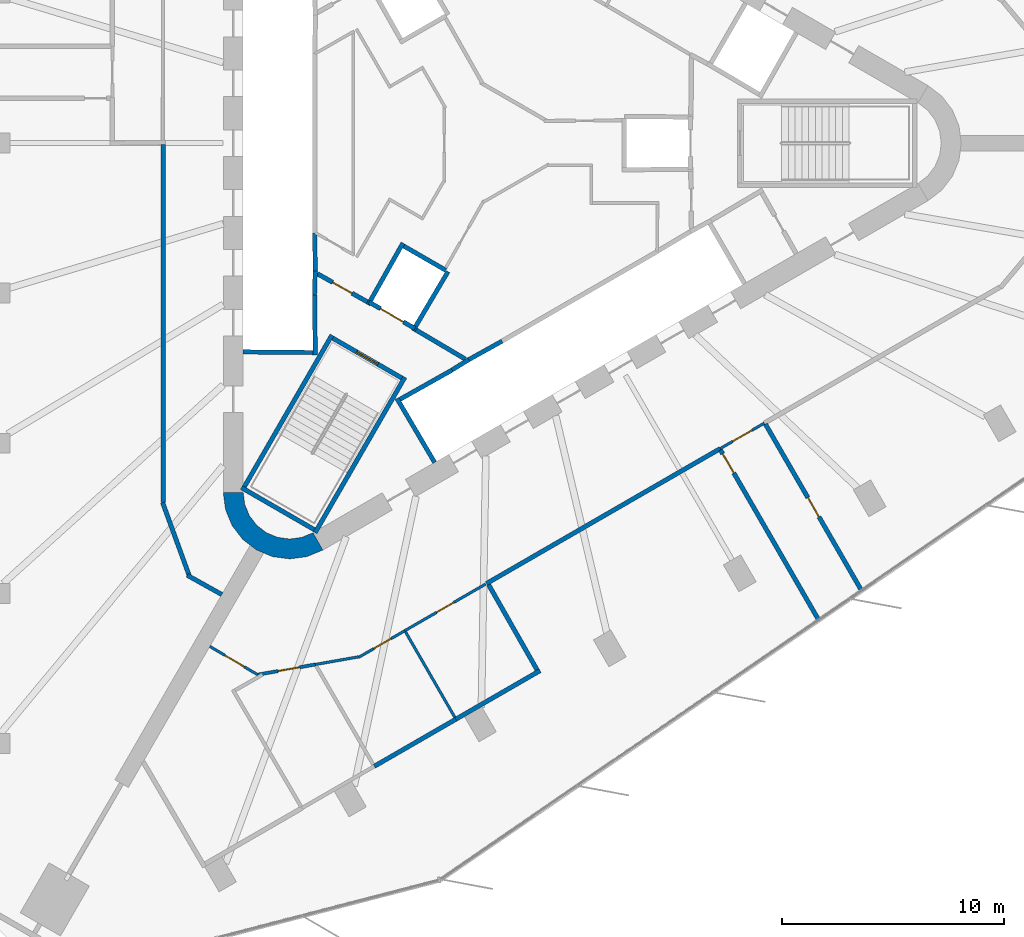
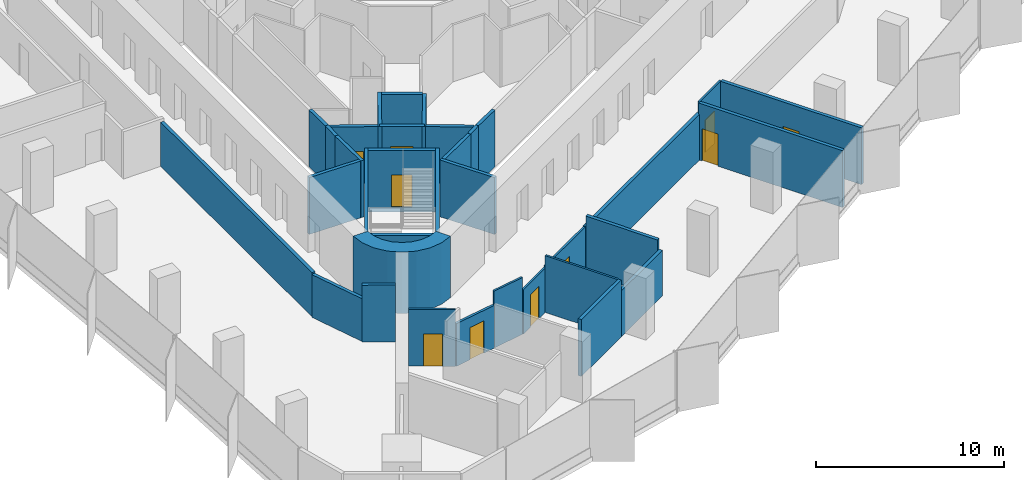
# One storey, part 8 of 13: 35 walls, 10 doors, 10 openings.
"""IFC4 building model written with IfcOpenShell, lengths in metres."""

from ifc_helpers import new_model, si_unit, direction, frame, frame_2d, origin, place, context, subcontext, project, spatial, polyline, rectangle, outline, extrude, material, layer, layer_set, type_object, element, fill, save


model = new_model("IFC4")

# Units and contexts
model_context = context("Model", 3, precision=1e-05, world=origin(), true_north=direction((0.0, 1.0)))
body_context = subcontext(model_context, "Body", "Model", "MODEL_VIEW")
ifc_project = project(units=[si_unit("LENGTHUNIT", "METRE"), si_unit("AREAUNIT", "SQUARE_METRE"), si_unit("VOLUMEUNIT", "CUBIC_METRE"), si_unit("PLANEANGLEUNIT", "RADIAN"), si_unit("MASSUNIT", "GRAM", prefix="KILO")], contexts=[model_context])

# Site, building, storey
site_placement = place(None, origin())
site = spatial("IfcSite", under=ifc_project, at=site_placement, CompositionType="ELEMENT")
building_placement = place(site_placement, origin())
building = spatial("IfcBuilding", under=site, at=building_placement, Name="Tanit Gate Tower", CompositionType="ELEMENT")
storey_placement = place(building_placement, frame((0.0, 0.0, 181.199951171875)))
storey = spatial("IfcBuildingStorey", under=building, at=storey_placement, Name="L39", CompositionType="ELEMENT", Elevation=181.199951171875)

# Walls
ifc_material_1 = material(Name="Concrete C50/60", Category="concrete")
ifc_layer_1 = layer(ifc_material_1, 0.89990234375)
ifc_layer_set_1 = layer_set([ifc_layer_1], Name="CORE WALL 900 C50/60")
wall_type_1 = type_object("IfcWallType", Name="CORE WALL 900 C50/60", PredefinedType="SHEAR", material=ifc_layer_set_1)
wall_1_placement = place(storey_placement, origin())
element("IfcWall", 1, at=wall_1_placement, inside=storey, type_object=wall_type_1, Name="CORE WALL CORNER", PredefinedType="SHEAR", context=body_context, shape_type="SweptSolid", body=[
    extrude(outline(polyline([(-12.10009765625, -15.76171875), (-11.997802734375, -16.5380859375), (-11.697998046875, -17.26171875), (-11.22119140625, -17.883056640625), (-10.60009765625, -18.359619140625), (-9.87646484375, -18.659423828125), (-9.10009765625, -18.76171875), (-8.323486328125, -18.659423828125), (-7.60009765625, -18.359619140625), (-8.050048828125, -17.580322265625), (-8.556396484375, -17.7900390625), (-9.10009765625, -17.86181640625), (-9.6435546875, -17.7900390625), (-10.14990234375, -17.580322265625), (-10.5849609375, -17.24658203125), (-10.918701171875, -16.811767578125), (-11.12841796875, -16.30517578125), (-11.199951171875, -15.76171875), (-12.10009765625, -15.76171875)])), origin(), (0.0, 0.0, 1.0), 4.0),
])
ifc_material_2 = material(Name="Fire-rated gypsum board partition")
ifc_layer_2 = layer(ifc_material_2, 0.199951171875)
ifc_layer_set_2 = layer_set([ifc_layer_2], Name="INT-WALL-COMPARTMENT")
wall_type_2 = type_object("IfcWallType", Name="INT-WALL-COMPARTMENT", PredefinedType="PARTITIONING", material=ifc_layer_set_2)
wall_2_placement = place(storey_placement, frame((-3.400634765625, -8.43017578125, 0.0), z_axis=(0.0, 0.0, 1.0), x_axis=(0.860615607571, -0.509255118781, 0.0)))
element("IfcWall", 2, at=wall_2_placement, inside=storey, type_object=wall_type_2, Name="Wall Compartment W063", PredefinedType="PARTITIONING", context=body_context, shape_type="SweptSolid", body=[
    extrude(rectangle(XDim=2.58056640625, YDim=0.199951171875, at=frame_2d((1.290283203125, 0.0))), origin(), (0.0, 0.0, 1.0), 3.699951171875),
])

# Wall, opening, door
wall_3_placement = place(storey_placement, frame((-7.849365234375, -5.893798828125, 0.0), z_axis=(0.0, 0.0, 1.0), x_axis=(0.871363259478, -0.490638431059, 0.0)))
wall_3 = element("IfcWall", 3, at=wall_3_placement, inside=storey, type_object=wall_type_2, Name="Wall Compartment W064", PredefinedType="PARTITIONING", context=body_context, shape_type="SweptSolid", body=[
    extrude(rectangle(XDim=2.5810546875, YDim=0.199951171875, at=frame_2d((1.29052734375, 0.0))), origin(), (0.0, 0.0, 1.0), 3.699951171875),
])
opening_1_placement = place(wall_3_placement, frame((0.79052734375, 0.0, 0.0)))
opening_1 = element("IfcOpeningElement", 4, at=opening_1_placement, cuts=wall_3, Name="Opening F10-S10-08", PredefinedType="OPENING", context=body_context, shape_type="SweptSolid", body=[
    extrude(rectangle(XDim=1.0, YDim=2.10009765625, at=frame_2d((0.5, 1.050048828125))), frame((0.0, 0.10986328125, 0.0), z_axis=(0.0, -1.0, 0.0), x_axis=(1.0, 0.0, 0.0)), (0.0, 0.0, 1.0), 0.219970703125),
])
ifc_material_3 = material(Name="Fire-rated steel door leaf", Category="steel")
door_type_1 = type_object("IfcDoorType", Name="INT-DOOR-FIRE-1000", OperationType="NOTDEFINED", PredefinedType="USERDEFINED", material=ifc_material_3)
door_1_placement = place(opening_1_placement, origin())
door_1 = element("IfcDoor", 5, at=door_1_placement, inside=storey, type_object=door_type_1, Name="Door F10-S10-08", ObjectType="FIRE DOOR", OperationType="SINGLE_SWING_RIGHT", OverallHeight=2.10009765625, OverallWidth=1.0, PredefinedType="USERDEFINED", context=body_context, shape_type="SweptSolid", body=[
    extrude(rectangle(XDim=1.0, YDim=2.10009765625, at=frame_2d((0.5, 1.050048828125))), frame((0.0, 0.02490234375, 0.0), z_axis=(0.0, -1.0, 0.0), x_axis=(1.0, 0.0, 0.0)), (0.0, 0.0, 1.0), 0.050048828125),
])
fill(opening_1, door_1)

# Walls
wall_4_placement = place(storey_placement, frame((-13.722412109375, -19.499267578125, 0.0), z_axis=(0.0, 0.0, 1.0), x_axis=(0.873381780332, -0.487036205824, 0.0)))
element("IfcWall", 6, at=wall_4_placement, inside=storey, type_object=wall_type_2, Name="Wall Compartment W093", PredefinedType="PARTITIONING", context=body_context, shape_type="SweptSolid", body=[
    extrude(rectangle(XDim=1.78466796875, YDim=0.199951171875, at=frame_2d((0.892333984375, 0.0))), origin(), (0.0, 0.0, 1.0), 3.699951171875),
])
wall_5_placement = place(storey_placement, frame((-14.834228515625, -16.22314453125, 0.0), z_axis=(0.0, 0.0, 1.0), x_axis=(0.342017717312, -0.939693503779, 0.0)))
element("IfcWall", 7, at=wall_5_placement, inside=storey, type_object=wall_type_2, Name="Wall Compartment W094", PredefinedType="PARTITIONING", context=body_context, shape_type="SweptSolid", body=[
    extrude(rectangle(XDim=3.4970703125, YDim=0.199951171875, at=frame_2d((1.74853515625, 0.0))), origin(), (0.0, 0.0, 1.0), 2.780029296875),
])
wall_6_placement = place(storey_placement, frame((-14.800048828125, -0.070068359375, 0.0), z_axis=(0.0, 0.0, 1.0), x_axis=(0.0, -1.0, 0.0)))
element("IfcWall", 8, at=wall_6_placement, inside=storey, type_object=wall_type_2, Name="Wall Compartment W095", PredefinedType="PARTITIONING", context=body_context, shape_type="SweptSolid", body=[
    extrude(rectangle(XDim=16.14697265625, YDim=0.199951171875, at=frame_2d((8.073486328125, 0.0))), origin(), (0.0, 0.0, 1.0), 2.880126953125),
])
wall_7_placement = place(storey_placement, frame((-0.222900390625, -19.8740234375, 0.0), z_axis=(0.0, 0.0, 1.0), x_axis=(0.866025366729, 0.500000064182, 0.0)))
element("IfcWall", 9, at=wall_7_placement, inside=storey, type_object=wall_type_2, Name="Wall Compartment W104", PredefinedType="PARTITIONING", context=body_context, shape_type="SweptSolid", body=[
    extrude(rectangle(XDim=12.18017578125, YDim=0.199951171875, at=frame_2d((6.090087890625, 0.0))), origin(), (0.0, 0.0, 1.0), 2.97998046875),
])

# Wall, opening, door
wall_8_placement = place(storey_placement, frame((10.338134765625, -13.845947265625, 0.0), z_axis=(0.0, 0.0, 1.0), x_axis=(0.499984974409, -0.86603407864, 0.0)))
wall_8 = element("IfcWall", 10, at=wall_8_placement, inside=storey, type_object=wall_type_2, Name="Wall Compartment W123", PredefinedType="PARTITIONING", context=body_context, shape_type="SweptSolid", body=[
    extrude(rectangle(XDim=8.855224609375, YDim=0.199951171875, at=frame_2d((4.427734375, 0.0))), origin(), (0.0, 0.0, 1.0), 3.699951171875),
])
opening_2_placement = place(wall_8_placement, frame((0.199951171875, 0.0, 0.0)))
opening_2 = element("IfcOpeningElement", 11, at=opening_2_placement, cuts=wall_8, Name="Opening F10-S10-29", PredefinedType="OPENING", context=body_context, shape_type="SweptSolid", body=[
    extrude(rectangle(XDim=1.0, YDim=2.10009765625, at=frame_2d((0.5, 1.050048828125))), frame((0.0, 0.10986328125, 0.0), z_axis=(0.0, -1.0, 0.0), x_axis=(1.0, 0.0, 0.0)), (0.0, 0.0, 1.0), 0.219970703125),
])
door_2_placement = place(opening_2_placement, origin())
door_2 = element("IfcDoor", 12, at=door_2_placement, inside=storey, type_object=door_type_1, Name="Door F10-S10-29", ObjectType="FIRE DOOR", OperationType="SINGLE_SWING_LEFT", OverallHeight=2.10009765625, OverallWidth=1.0, PredefinedType="USERDEFINED", context=body_context, shape_type="SweptSolid", body=[
    extrude(rectangle(XDim=1.0, YDim=2.10009765625, at=frame_2d((0.5, 1.050048828125))), frame((0.0, 0.02490234375, 0.0), z_axis=(0.0, -1.0, 0.0), x_axis=(1.0, 0.0, 0.0)), (0.0, 0.0, 1.0), 0.050048828125),
])
fill(opening_2, door_2)

wall_9_placement = place(storey_placement, frame((16.700927734375, -20.186767578125, 0.0), z_axis=(0.0, 0.0, 1.0), x_axis=(-0.500008367389, 0.866020572816, 0.0)))
wall_9 = element("IfcWall", 13, at=wall_9_placement, inside=storey, type_object=wall_type_2, Name="Wall Compartment W124", PredefinedType="PARTITIONING", context=body_context, shape_type="SweptSolid", body=[
    extrude(rectangle(XDim=8.672607421875, YDim=0.199951171875, at=frame_2d((4.33642578125, 0.0))), origin(), (0.0, 0.0, 1.0), 3.699951171875),
])
opening_3_placement = place(wall_9_placement, frame((3.83642578125, 0.0, 0.0)))
opening_3 = element("IfcOpeningElement", 14, at=opening_3_placement, cuts=wall_9, Name="Opening F10-S10-30", PredefinedType="OPENING", context=body_context, shape_type="SweptSolid", body=[
    extrude(rectangle(XDim=1.0, YDim=2.10009765625, at=frame_2d((0.5, 1.050048828125))), frame((0.0, 0.10986328125, 0.0), z_axis=(0.0, -1.0, 0.0), x_axis=(1.0, 0.0, 0.0)), (0.0, 0.0, 1.0), 0.219970703125),
])
door_3_placement = place(opening_3_placement, origin())
door_3 = element("IfcDoor", 15, at=door_3_placement, inside=storey, type_object=door_type_1, Name="Door F10-S10-30", ObjectType="FIRE DOOR", OperationType="SINGLE_SWING_LEFT", OverallHeight=2.10009765625, OverallWidth=1.0, PredefinedType="USERDEFINED", context=body_context, shape_type="SweptSolid", body=[
    extrude(rectangle(XDim=1.0, YDim=2.10009765625, at=frame_2d((0.5, 1.050048828125))), frame((0.0, 0.02490234375, 0.0), z_axis=(0.0, -1.0, 0.0), x_axis=(1.0, 0.0, 0.0)), (0.0, 0.0, 1.0), 0.050048828125),
])
fill(opening_3, door_3)

# Walls
wall_10_placement = place(storey_placement, frame((2.19482421875, -23.801513671875, 0.0), z_axis=(0.0, 0.0, 1.0), x_axis=(-0.866030693553, -0.49999083774, 0.0)))
element("IfcWall", 16, at=wall_10_placement, inside=storey, type_object=wall_type_2, Name="Wall Compartment W125", PredefinedType="PARTITIONING", context=body_context, shape_type="SweptSolid", body=[
    extrude(rectangle(XDim=4.38330078125, YDim=0.199951171875, at=frame_2d((2.191650390625, 0.0))), origin(), (0.0, 0.0, 1.0), 2.97998046875),
])
wall_11_placement = place(storey_placement, frame((-1.601318359375, -25.9931640625, 0.0), z_axis=(0.0, 0.0, 1.0), x_axis=(-0.86603819212, -0.4999778493, 0.0)))
element("IfcWall", 17, at=wall_11_placement, inside=storey, type_object=wall_type_2, Name="Wall Compartment W127", PredefinedType="PARTITIONING", context=body_context, shape_type="SweptSolid", body=[
    extrude(rectangle(XDim=4.247802734375, YDim=0.199951171875, at=frame_2d((2.1240234375, 0.0))), origin(), (0.0, 0.0, 1.0), 3.699951171875),
])
wall_12_placement = place(storey_placement, frame((-0.121337890625, -19.930908203125, 0.0), z_axis=(0.0, 0.0, 1.0), x_axis=(0.494319450353, -0.869280323602, 0.0)))
element("IfcWall", 18, at=wall_12_placement, inside=storey, type_object=wall_type_2, Name="Wall Compartment W126", PredefinedType="PARTITIONING", context=body_context, shape_type="SweptSolid", body=[
    extrude(rectangle(XDim=4.409912109375, YDim=0.199951171875, at=frame_2d((2.205078125, 0.0))), origin(), (0.0, 0.0, 1.0), 3.699951171875),
])

# Wall, opening, door
ifc_material_4 = material(Name="Gypsum board partition")
ifc_layer_3 = layer(ifc_material_4, 0.1201171875)
ifc_layer_set_3 = layer_set([ifc_layer_3], Name="INT-WALL-PARTITION")
wall_type_3 = type_object("IfcWallType", Name="INT-WALL-PARTITION", PredefinedType="PARTITIONING", material=ifc_layer_set_3)
wall_13_placement = place(storey_placement, frame((12.317138671875, -12.634033203125, 0.0), z_axis=(0.0, 0.0, 1.0), x_axis=(-0.86602648383, -0.499998129301, 0.0)))
wall_13 = element("IfcWall", 19, at=wall_13_placement, inside=storey, type_object=wall_type_3, Name="Wall Partition W103", PredefinedType="PARTITIONING", context=body_context, shape_type="SweptSolid", body=[
    extrude(rectangle(XDim=2.2998046875, YDim=0.1201171875, at=frame_2d((1.14990234375, 0.0))), origin(), (0.0, 0.0, 1.0), 3.699951171875),
])
opening_4_placement = place(wall_13_placement, frame((0.64990234375, 0.0, 0.0)))
opening_4 = element("IfcOpeningElement", 20, at=opening_4_placement, cuts=wall_13, Name="Opening D10-S10-20", PredefinedType="OPENING", context=body_context, shape_type="SweptSolid", body=[
    extrude(rectangle(XDim=1.0, YDim=2.10009765625, at=frame_2d((0.5, 1.050048828125))), frame((0.0, 0.070068359375, 0.0), z_axis=(0.0, -1.0, 0.0), x_axis=(1.0, 0.0, 0.0)), (0.0, 0.0, 1.0), 0.14013671875),
])
ifc_material_5 = material(Name="Timber door leaf", Category="wood")
door_type_2 = type_object("IfcDoorType", Name="INT-DOOR-SINGLE-1000", OperationType="NOTDEFINED", PredefinedType="NOTDEFINED", material=ifc_material_5)
door_4_placement = place(opening_4_placement, origin())
door_4 = element("IfcDoor", 21, at=door_4_placement, inside=storey, type_object=door_type_2, Name="Door D10-S10-20", OperationType="SINGLE_SWING_RIGHT", OverallHeight=2.10009765625, OverallWidth=1.0, PredefinedType="NOTDEFINED", context=body_context, shape_type="SweptSolid", body=[
    extrude(rectangle(XDim=1.0, YDim=2.10009765625, at=frame_2d((0.5, 1.050048828125))), frame((0.0, 0.02490234375, 0.0), z_axis=(0.0, -1.0, 0.0), x_axis=(1.0, 0.0, 0.0)), (0.0, 0.0, 1.0), 0.050048828125),
])
fill(opening_4, door_4)

wall_14_placement = place(storey_placement, frame((-5.984130859375, -23.200439453125, 0.0), z_axis=(0.0, 0.0, 1.0), x_axis=(0.866017831539, 0.500013115284, 0.0)))
wall_14 = element("IfcWall", 22, at=wall_14_placement, inside=storey, type_object=wall_type_3, Name="Wall Partition W109", PredefinedType="PARTITIONING", context=body_context, shape_type="SweptSolid", body=[
    extrude(rectangle(XDim=2.3994140625, YDim=0.1201171875, at=frame_2d((1.19970703125, 0.0))), origin(), (0.0, 0.0, 1.0), 2.880126953125),
])
opening_5_placement = place(wall_14_placement, frame((0.77978515625, 0.0, 0.0)))
opening_5 = element("IfcOpeningElement", 23, at=opening_5_placement, cuts=wall_14, Name="Opening D09-S10-22", PredefinedType="OPENING", context=body_context, shape_type="SweptSolid", body=[
    extrude(rectangle(XDim=0.89990234375, YDim=2.10009765625, at=frame_2d((0.449951171875, 1.050048828125))), frame((0.0, 0.070068359375, 0.0), z_axis=(0.0, -1.0, 0.0), x_axis=(1.0, 0.0, 0.0)), (0.0, 0.0, 1.0), 0.14013671875),
])
ifc_material_6 = material(Name="Timber door leaf", Category="wood")
door_type_3 = type_object("IfcDoorType", Name="INT-DOOR-SINGLE-900", OperationType="NOTDEFINED", PredefinedType="NOTDEFINED", material=ifc_material_6)
door_5_placement = place(opening_5_placement, origin())
door_5 = element("IfcDoor", 24, at=door_5_placement, inside=storey, type_object=door_type_3, Name="Door D09-S10-22", OperationType="SINGLE_SWING_LEFT", OverallHeight=2.10009765625, OverallWidth=0.89990234375, PredefinedType="NOTDEFINED", context=body_context, shape_type="SweptSolid", body=[
    extrude(rectangle(XDim=0.89990234375, YDim=2.10009765625, at=frame_2d((0.449951171875, 1.050048828125))), frame((0.0, 0.02490234375, 0.0), z_axis=(0.0, -1.0, 0.0), x_axis=(1.0, 0.0, 0.0)), (0.0, 0.0, 1.0), 0.050048828125),
])
fill(opening_5, door_5)

wall_15_placement = place(storey_placement, frame((-3.90625, -22.000732421875, 0.0), z_axis=(0.0, 0.0, 1.0), x_axis=(0.866012851997, 0.500021739704, 0.0)))
wall_15 = element("IfcWall", 25, at=wall_15_placement, inside=storey, type_object=wall_type_3, Name="Wall Partition W108", PredefinedType="PARTITIONING", context=body_context, shape_type="SweptSolid", body=[
    extrude(rectangle(XDim=4.213134765625, YDim=0.1201171875, at=frame_2d((2.1064453125, 0.0))), origin(), (0.0, 0.0, 1.0), 2.97998046875),
])
opening_6_placement = place(wall_15_placement, frame((1.656494140625, 0.0, 0.0)))
opening_6 = element("IfcOpeningElement", 26, at=opening_6_placement, cuts=wall_15, Name="Opening D09-S10-21", PredefinedType="OPENING", context=body_context, shape_type="SweptSolid", body=[
    extrude(rectangle(XDim=0.89990234375, YDim=2.10009765625, at=frame_2d((0.449951171875, 1.050048828125))), frame((0.0, 0.070068359375, 0.0), z_axis=(0.0, -1.0, 0.0), x_axis=(1.0, 0.0, 0.0)), (0.0, 0.0, 1.0), 0.14013671875),
])
door_6_placement = place(opening_6_placement, origin())
door_6 = element("IfcDoor", 27, at=door_6_placement, inside=storey, type_object=door_type_3, Name="Door D09-S10-21", OperationType="SINGLE_SWING_RIGHT", OverallHeight=2.10009765625, OverallWidth=0.89990234375, PredefinedType="NOTDEFINED", context=body_context, shape_type="SweptSolid", body=[
    extrude(rectangle(XDim=0.89990234375, YDim=2.10009765625, at=frame_2d((0.449951171875, 1.050048828125))), frame((0.0, 0.02490234375, 0.0), z_axis=(0.0, -1.0, 0.0), x_axis=(1.0, 0.0, 0.0)), (0.0, 0.0, 1.0), 0.050048828125),
])
fill(opening_6, door_6)

# Wall
wall_16_placement = place(storey_placement, frame((-7.94482421875, -23.525146484375, 0.0), z_axis=(0.0, 0.0, 1.0), x_axis=(0.984807090041, 0.173651937522, 0.0)))
element("IfcWall", 28, at=wall_16_placement, inside=storey, type_object=wall_type_3, Name="Wall Partition W110", PredefinedType="PARTITIONING", context=body_context, shape_type="SweptSolid", body=[
    extrude(rectangle(XDim=1.983642578125, YDim=0.1201171875, at=frame_2d((0.99169921875, 0.0))), origin(), (0.0, 0.0, 1.0), 3.699951171875),
])

# Wall, opening, door
wall_17_placement = place(storey_placement, frame((-12.706787109375, -22.708984375, 0.0), z_axis=(0.0, 0.0, 1.0), x_axis=(0.860742216303, -0.509041095663, 0.0)))
wall_17 = element("IfcWall", 29, at=wall_17_placement, inside=storey, type_object=wall_type_3, Name="Wall Partition W112", PredefinedType="PARTITIONING", context=body_context, shape_type="SweptSolid", body=[
    extrude(rectangle(XDim=2.505859375, YDim=0.1201171875, at=frame_2d((1.2529296875, 0.0))), origin(), (0.0, 0.0, 1.0), 3.699951171875),
])
opening_7_placement = place(wall_17_placement, frame((0.802978515625, 0.0, 0.0)))
opening_7 = element("IfcOpeningElement", 30, at=opening_7_placement, cuts=wall_17, Name="Opening D10-S10-24", PredefinedType="OPENING", context=body_context, shape_type="SweptSolid", body=[
    extrude(rectangle(XDim=1.0, YDim=2.10009765625, at=frame_2d((0.5, 1.050048828125))), frame((0.0, 0.070068359375, 0.0), z_axis=(0.0, -1.0, 0.0), x_axis=(1.0, 0.0, 0.0)), (0.0, 0.0, 1.0), 0.14013671875),
])
door_7_placement = place(opening_7_placement, origin())
door_7 = element("IfcDoor", 31, at=door_7_placement, inside=storey, type_object=door_type_2, Name="Door D10-S10-24", OperationType="SINGLE_SWING_RIGHT", OverallHeight=2.10009765625, OverallWidth=1.0, PredefinedType="NOTDEFINED", context=body_context, shape_type="SweptSolid", body=[
    extrude(rectangle(XDim=1.0, YDim=2.10009765625, at=frame_2d((0.5, 1.050048828125))), frame((0.0, 0.02490234375, 0.0), z_axis=(0.0, -1.0, 0.0), x_axis=(1.0, 0.0, 0.0)), (0.0, 0.0, 1.0), 0.050048828125),
])
fill(opening_7, door_7)

# Wall
wall_18_placement = place(storey_placement, frame((-1.6513671875, -25.906494140625, 0.0), z_axis=(0.0, 0.0, 1.0), x_axis=(-0.499980495566, 0.866036664382, 0.0)))
element("IfcWall", 32, at=wall_18_placement, inside=storey, type_object=wall_type_3, Name="Wall Partition W131", PredefinedType="PARTITIONING", context=body_context, shape_type="SweptSolid", body=[
    extrude(rectangle(XDim=4.449951171875, YDim=0.1201171875, at=frame_2d((2.22509765625, 0.0))), origin(), (0.0, 0.0, 1.0), 3.699951171875),
])

# Wall, opening, door
ifc_material_7 = material(Name="Fire-rated gypsum board partition")
ifc_layer_4 = layer(ifc_material_7, 0.14990234375)
ifc_layer_set_4 = layer_set([ifc_layer_4], Name="INT-WALL-RISER")
wall_type_4 = type_object("IfcWallType", Name="INT-WALL-RISER", PredefinedType="PLUMBINGWALL", material=ifc_layer_set_4)
wall_19_placement = place(storey_placement, frame((-10.5498046875, -23.984619140625, 0.0), z_axis=(0.0, 0.0, 1.0), x_axis=(0.984798421686, 0.173701089936, 0.0)))
wall_19 = element("IfcWall", 33, at=wall_19_placement, inside=storey, type_object=wall_type_4, Name="Wall Riser W111", PredefinedType="PLUMBINGWALL", context=body_context, shape_type="SweptSolid", body=[
    extrude(rectangle(XDim=2.645263671875, YDim=0.14990234375, at=frame_2d((1.32275390625, 0.0))), origin(), (0.0, 0.0, 1.0), 2.780029296875),
])
opening_8_placement = place(wall_19_placement, frame((0.930419921875, 0.0, 0.0)))
opening_8 = element("IfcOpeningElement", 34, at=opening_8_placement, cuts=wall_19, Name="Opening F10-S10-23", PredefinedType="OPENING", context=body_context, shape_type="SweptSolid", body=[
    extrude(rectangle(XDim=1.0, YDim=2.10009765625, at=frame_2d((0.5, 1.050048828125))), frame((0.0, 0.0849609375, 0.0), z_axis=(0.0, -1.0, 0.0), x_axis=(1.0, 0.0, 0.0)), (0.0, 0.0, 1.0), 0.169921875),
])
door_8_placement = place(opening_8_placement, origin())
door_8 = element("IfcDoor", 35, at=door_8_placement, inside=storey, type_object=door_type_1, Name="Door F10-S10-23", ObjectType="FIRE DOOR", OperationType="SINGLE_SWING_LEFT", OverallHeight=2.10009765625, OverallWidth=1.0, PredefinedType="USERDEFINED", context=body_context, shape_type="SweptSolid", body=[
    extrude(rectangle(XDim=1.0, YDim=2.10009765625, at=frame_2d((0.5, 1.050048828125))), frame((0.0, 0.02490234375, 0.0), z_axis=(0.0, -1.0, 0.0), x_axis=(1.0, 0.0, 0.0)), (0.0, 0.0, 1.0), 0.050048828125),
])
fill(opening_8, door_8)

# Walls
ifc_material_8 = material(Name="Gypsum shaft wall system")
ifc_layer_5 = layer(ifc_material_8, 0.199951171875)
ifc_layer_set_5 = layer_set([ifc_layer_5], Name="INT-WALL-SHAFT")
wall_type_5 = type_object("IfcWallType", Name="INT-WALL-SHAFT", PredefinedType="PLUMBINGWALL", material=ifc_layer_set_5)
wall_20_placement = place(storey_placement, frame((-7.949951171875, -5.7724609375, 0.0), z_axis=(0.0, 0.0, 1.0), x_axis=(-0.030803413295, -0.999525462272, 0.0)))
element("IfcWall", 36, at=wall_20_placement, inside=storey, type_object=wall_type_5, Name="Wall Shaft W008", PredefinedType="PLUMBINGWALL", context=body_context, shape_type="SweptSolid", body=[
    extrude(rectangle(XDim=1.077880859375, YDim=0.199951171875, at=frame_2d((0.5390625, 0.0))), origin(), (0.0, 0.0, 1.0), 3.699951171875),
])
wall_21_placement = place(storey_placement, frame((-7.971435546875, -4.050048828125, 0.0), z_axis=(0.0, 0.0, 1.0), x_axis=(0.012042535896, -0.999927486035, 0.0)))
element("IfcWall", 37, at=wall_21_placement, inside=storey, type_object=wall_type_5, Name="Wall Shaft W009", PredefinedType="PLUMBINGWALL", context=body_context, shape_type="SweptSolid", body=[
    extrude(rectangle(XDim=1.844970703125, YDim=0.199951171875, at=frame_2d((0.92236328125, 0.0))), origin(), (0.0, 0.0, 1.0), 3.699951171875),
])
wall_22_placement = place(storey_placement, frame((-7.97900390625, -6.85009765625, 0.0), z_axis=(0.0, 0.0, 1.0), x_axis=(0.011121475088, -0.999938154483, 0.0)))
element("IfcWall", 38, at=wall_22_placement, inside=storey, type_object=wall_type_5, Name="Wall Shaft W010", PredefinedType="PLUMBINGWALL", context=body_context, shape_type="SweptSolid", body=[
    extrude(rectangle(XDim=2.7001953125, YDim=0.199951171875, at=frame_2d((1.35009765625, 0.0))), origin(), (0.0, 0.0, 1.0), 3.699951171875),
])
wall_23_placement = place(storey_placement, frame((-8.050048828125, -9.448974609375, 0.0), z_axis=(0.0, 0.0, 1.0), x_axis=(-0.999957467379, 0.009222983926, 0.0)))
element("IfcWall", 39, at=wall_23_placement, inside=storey, type_object=wall_type_5, Name="Wall Shaft W011", PredefinedType="PLUMBINGWALL", context=body_context, shape_type="SweptSolid", body=[
    extrude(rectangle(XDim=3.150146484375, YDim=0.199951171875, at=frame_2d((1.5751953125, 0.0))), origin(), (0.0, 0.0, 1.0), 3.699951171875),
])
wall_24_placement = place(storey_placement, frame((-2.557861328125, -14.409423828125, 0.0), z_axis=(0.0, 0.0, 1.0), x_axis=(-0.507997497166, 0.861358544901, 0.0)))
element("IfcWall", 40, at=wall_24_placement, inside=storey, type_object=wall_type_5, Name="Wall Shaft W019", PredefinedType="PLUMBINGWALL", context=body_context, shape_type="SweptSolid", body=[
    extrude(rectangle(XDim=3.350341796875, YDim=0.199951171875, at=frame_2d((1.67529296875, 0.0))), origin(), (0.0, 0.0, 1.0), 3.699951171875),
])
wall_25_placement = place(storey_placement, frame((-1.7685546875, -10.23681640625, 0.0), z_axis=(0.0, 0.0, 1.0), x_axis=(-0.871534483978, -0.490334215854, 0.0)))
element("IfcWall", 41, at=wall_25_placement, inside=storey, type_object=wall_type_5, Name="Wall Shaft W020", PredefinedType="PLUMBINGWALL", context=body_context, shape_type="SweptSolid", body=[
    extrude(rectangle(XDim=2.7001953125, YDim=0.199951171875, at=frame_2d((1.35009765625, 0.0))), origin(), (0.0, 0.0, 1.0), 3.699951171875),
])
wall_26_placement = place(storey_placement, frame((-1.02392578125, -9.77099609375, 0.0), z_axis=(0.0, 0.0, 1.0), x_axis=(-0.850348075135, -0.526220629693, 0.0)))
element("IfcWall", 42, at=wall_26_placement, inside=storey, type_object=wall_type_5, Name="Wall Shaft W021", PredefinedType="PLUMBINGWALL", context=body_context, shape_type="SweptSolid", body=[
    extrude(rectangle(XDim=0.878173828125, YDim=0.199951171875, at=frame_2d((0.43896484375, 0.0))), origin(), (0.0, 0.0, 1.0), 3.699951171875),
])
wall_27_placement = place(storey_placement, frame((-1.130126953125, -9.831298828125, 0.0), z_axis=(0.0, 0.0, 1.0), x_axis=(0.874269620932, 0.485440655401, 0.0)))
element("IfcWall", 43, at=wall_27_placement, inside=storey, type_object=wall_type_5, Name="Wall Shaft W022", PredefinedType="PLUMBINGWALL", context=body_context, shape_type="SweptSolid", body=[
    extrude(rectangle(XDim=1.8447265625, YDim=0.199951171875, at=frame_2d((0.92236328125, 0.0))), origin(), (0.0, 0.0, 1.0), 3.699951171875),
])

# Wall, opening, door
wall_28_placement = place(storey_placement, frame((-3.44580078125, -8.3681640625, 0.0), z_axis=(0.0, 0.0, 1.0), x_axis=(-0.866024647952, 0.500001309137, 0.0)))
wall_28 = element("IfcWall", 44, at=wall_28_placement, inside=storey, type_object=wall_type_5, Name="Wall Shaft W045", PredefinedType="PLUMBINGWALL", context=body_context, shape_type="SweptSolid", body=[
    extrude(rectangle(XDim=2.39990234375, YDim=0.199951171875, at=frame_2d((1.199951171875, 0.0))), origin(), (0.0, 0.0, 1.0), 3.699951171875),
])
opening_9_placement = place(wall_28_placement, frame((0.60009765625, 0.0, 0.0)))
opening_9 = element("IfcOpeningElement", 45, at=opening_9_placement, cuts=wall_28, Name="Opening LDFL3-L39", PredefinedType="OPENING", context=body_context, shape_type="SweptSolid", body=[
    extrude(rectangle(XDim=1.199951171875, YDim=2.39990234375, at=frame_2d((0.60009765625, 1.199951171875))), frame((0.0, 0.10986328125, 0.0), z_axis=(0.0, -1.0, 0.0), x_axis=(1.0, 0.0, 0.0)), (0.0, 0.0, 1.0), 0.219970703125),
])
ifc_material_9 = material(Name="Stainless steel sliding door leaf", Category="steel")
door_type_4 = type_object("IfcDoorType", Name="INT-DOOR-LANDING-1200", OperationType="NOTDEFINED", PredefinedType="USERDEFINED", material=ifc_material_9)
door_9_placement = place(opening_9_placement, origin())
door_9 = element("IfcDoor", 46, at=door_9_placement, inside=storey, type_object=door_type_4, Name="Door LDFL3-L39", ObjectType="LANDING DOOR", OperationType="SLIDING_TO_LEFT", OverallHeight=2.39990234375, OverallWidth=1.199951171875, PredefinedType="USERDEFINED", context=body_context, shape_type="SweptSolid", body=[
    extrude(rectangle(XDim=1.199951171875, YDim=2.39990234375, at=frame_2d((0.60009765625, 1.199951171875))), frame((0.0, 0.02490234375, 0.0), z_axis=(0.0, -1.0, 0.0), x_axis=(1.0, 0.0, 0.0)), (0.0, 0.0, 1.0), 0.050048828125),
])
fill(opening_9, door_9)

# Walls
wall_29_placement = place(storey_placement, frame((-1.960693359375, -5.796142578125, 0.0), z_axis=(0.0, 0.0, 1.0), x_axis=(-0.508647062354, -0.860975125052, 0.0)))
element("IfcWall", 47, at=wall_29_placement, inside=storey, type_object=wall_type_5, Name="Wall Shaft W046", PredefinedType="PLUMBINGWALL", context=body_context, shape_type="SweptSolid", body=[
    extrude(rectangle(XDim=3.10009765625, YDim=0.199951171875, at=frame_2d((1.550048828125, 0.0))), origin(), (0.0, 0.0, 1.0), 3.699951171875),
])
wall_30_placement = place(storey_placement, frame((-3.989990234375, -4.509033203125, 0.0), z_axis=(0.0, 0.0, 1.0), x_axis=(-0.491358283181, -0.870957540612, 0.0)))
element("IfcWall", 48, at=wall_30_placement, inside=storey, type_object=wall_type_5, Name="Wall Shaft W047", PredefinedType="PLUMBINGWALL", context=body_context, shape_type="SweptSolid", body=[
    extrude(rectangle(XDim=3.200439453125, YDim=0.199951171875, at=frame_2d((1.60009765625, 0.0))), origin(), (0.0, 0.0, 1.0), 3.699951171875),
])
wall_31_placement = place(storey_placement, frame((-3.95263671875, -4.646240234375, 0.0), z_axis=(0.0, 0.0, 1.0), x_axis=(0.866038900241, -0.499976622722, 0.0)))
element("IfcWall", 49, at=wall_31_placement, inside=storey, type_object=wall_type_5, Name="Wall Shaft W048", PredefinedType="PLUMBINGWALL", context=body_context, shape_type="SweptSolid", body=[
    extrude(rectangle(XDim=2.189453125, YDim=0.199951171875, at=frame_2d((1.0947265625, 0.0))), origin(), (0.0, 0.0, 1.0), 3.699951171875),
])
ifc_material_10 = material(Name="Concrete C40/50", Category="concrete")
ifc_layer_6 = layer(ifc_material_10, 0.199951171875)
ifc_layer_set_6 = layer_set([ifc_layer_6], Name="INT-WALL-STAIR")
wall_type_6 = type_object("IfcWallType", Name="INT-WALL-STAIR", PredefinedType="SHEAR", material=ifc_layer_set_6)
wall_32_placement = place(storey_placement, frame((-3.904541015625, -10.56298828125, -0.300048828125), z_axis=(0.0, 0.0, 1.0), x_axis=(-0.500012932018, -0.866017937352, 0.0)))
element("IfcWall", 50, at=wall_32_placement, inside=storey, type_object=wall_type_6, Name="Wall Stair W041", PredefinedType="SHEAR", context=body_context, shape_type="SweptSolid", body=[
    extrude(rectangle(XDim=8.099853515625, YDim=0.199951171875, at=frame_2d((4.0498046875, 0.0))), origin(), (0.0, 0.0, 1.0), 4.0),
])
wall_33_placement = place(storey_placement, frame((-11.281982421875, -15.541015625, -0.300048828125), z_axis=(0.0, 0.0, 1.0), x_axis=(0.866000483506, -0.500043160704, 0.0)))
element("IfcWall", 51, at=wall_33_placement, inside=storey, type_object=wall_type_6, Name="Wall Stair W042", PredefinedType="SHEAR", context=body_context, shape_type="SweptSolid", body=[
    extrude(rectangle(XDim=3.800048828125, YDim=0.199951171875, at=frame_2d((1.89990234375, 0.0))), origin(), (0.0, 0.0, 1.0), 4.0),
])
wall_34_placement = place(storey_placement, frame((-7.195556640625, -8.662841796875, -0.300048828125), z_axis=(0.0, 0.0, 1.0), x_axis=(-0.499997992926, -0.866026562566, 0.0)))
element("IfcWall", 52, at=wall_34_placement, inside=storey, type_object=wall_type_6, Name="Wall Stair W043", PredefinedType="SHEAR", context=body_context, shape_type="SweptSolid", body=[
    extrude(rectangle(XDim=7.89990234375, YDim=0.199951171875, at=frame_2d((3.949951171875, 0.0))), origin(), (0.0, 0.0, 1.0), 4.0),
])

# Wall, opening, door
wall_35_placement = place(storey_placement, frame((-4.041259765625, -10.599365234375, -0.300048828125), z_axis=(0.0, 0.0, 1.0), x_axis=(-0.866047807691, 0.499961193289, 0.0)))
wall_35 = element("IfcWall", 53, at=wall_35_placement, inside=storey, type_object=wall_type_6, Name="Wall Stair W044", PredefinedType="SHEAR", context=body_context, shape_type="SweptSolid", body=[
    extrude(rectangle(XDim=3.599853515625, YDim=0.199951171875, at=frame_2d((1.7998046875, 0.0))), origin(), (0.0, 0.0, 1.0), 4.0),
])
opening_10_placement = place(wall_35_placement, frame((1.25, 0.0, 0.300048828125)))
opening_10 = element("IfcOpeningElement", 54, at=opening_10_placement, cuts=wall_35, Name="Opening S11-S10-07", PredefinedType="OPENING", context=body_context, shape_type="SweptSolid", body=[
    extrude(rectangle(XDim=1.10009765625, YDim=2.10009765625, at=frame_2d((0.550048828125, 1.050048828125))), frame((0.0, 0.10986328125, 0.0), z_axis=(0.0, -1.0, 0.0), x_axis=(1.0, 0.0, 0.0)), (0.0, 0.0, 1.0), 0.219970703125),
])
ifc_material_11 = material(Name="Timber door leaf", Category="wood")
door_type_5 = type_object("IfcDoorType", Name="INT-DOOR-STAIR-1100", OperationType="NOTDEFINED", PredefinedType="USERDEFINED", material=ifc_material_11)
door_10_placement = place(opening_10_placement, origin())
door_10 = element("IfcDoor", 55, at=door_10_placement, inside=storey, type_object=door_type_5, Name="Door S11-S10-07", ObjectType="FIRE DOOR", OperationType="SINGLE_SWING_LEFT", OverallHeight=2.10009765625, OverallWidth=1.10009765625, PredefinedType="USERDEFINED", context=body_context, shape_type="SweptSolid", body=[
    extrude(rectangle(XDim=1.10009765625, YDim=2.10009765625, at=frame_2d((0.550048828125, 1.050048828125))), frame((0.0, 0.02490234375, 0.0), z_axis=(0.0, -1.0, 0.0), x_axis=(1.0, 0.0, 0.0)), (0.0, 0.0, 1.0), 0.050048828125),
])
fill(opening_10, door_10)

save(model, "model.ifc")
